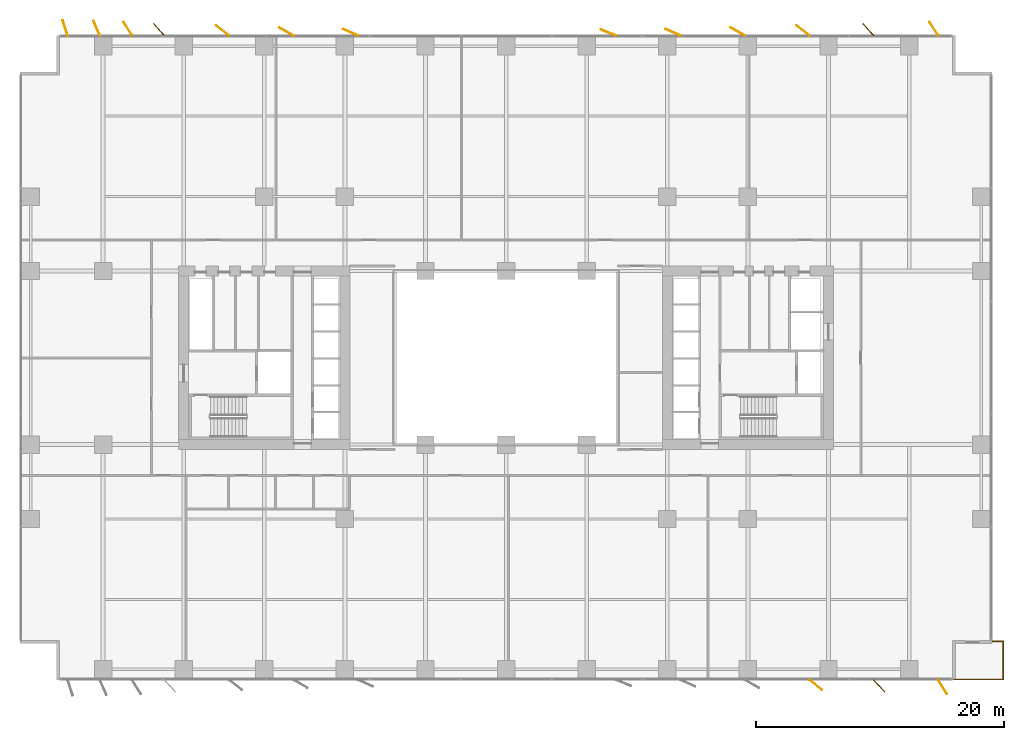
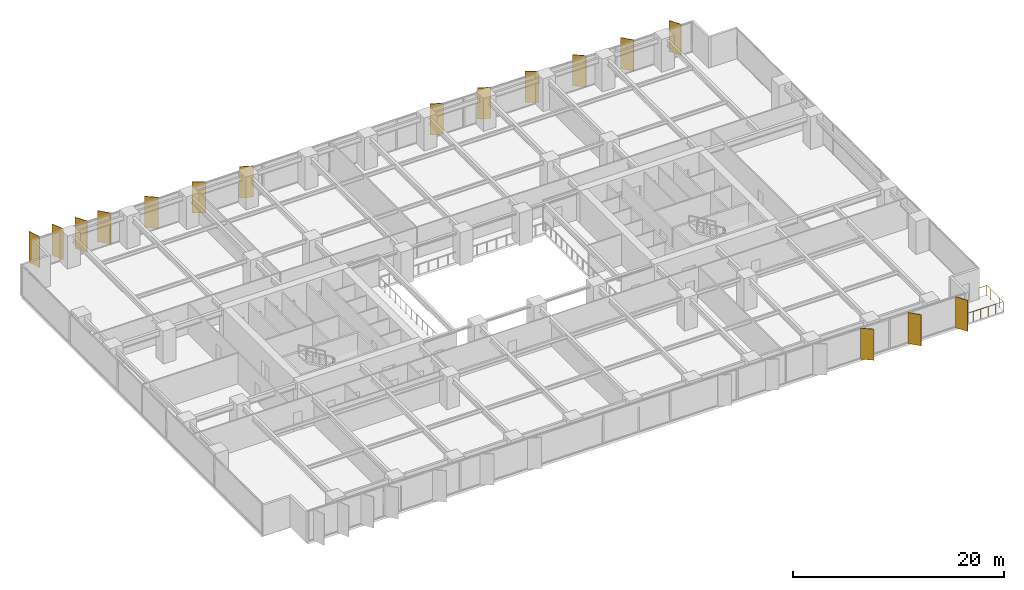
# One storey, part 20 of 20: 16 shading devices, 1 railing.
"""IFC4 building model written with IfcOpenShell, lengths in metres."""

from ifc_helpers import new_model, si_unit, direction, frame, origin, origin_2d, place, context, subcontext, project, spatial, rectangle, circle, extrude, material, layer, layer_set, type_object, element, save


model = new_model("IFC4")

# Units and contexts
model_context = context("Model", 3, precision=1e-05, world=origin(), true_north=direction((0.0, 1.0)))
body_context = subcontext(model_context, "Body", "Model", "MODEL_VIEW")
ifc_project = project(units=[si_unit("LENGTHUNIT", "METRE"), si_unit("AREAUNIT", "SQUARE_METRE"), si_unit("VOLUMEUNIT", "CUBIC_METRE"), si_unit("PLANEANGLEUNIT", "RADIAN"), si_unit("MASSUNIT", "GRAM", prefix="KILO")], contexts=[model_context])

# Site, building, storey
site_placement = place(None, origin())
site = spatial("IfcSite", under=ifc_project, at=site_placement, CompositionType="ELEMENT")
building_placement = place(site_placement, origin())
building = spatial("IfcBuilding", under=site, at=building_placement, Name="Putna Gate Headquarters", CompositionType="ELEMENT")
storey_placement = place(building_placement, frame((0.0, 0.0, 46.800048828125)))
storey = spatial("IfcBuildingStorey", under=building, at=storey_placement, Name="L10", CompositionType="ELEMENT", Elevation=46.800048828125)

# Railing
ifc_material_1 = material(Name="Anodised bronze steel and laminated glass guardrail", Category="steel")
railing_type = type_object("IfcRailingType", Name="RAIL-TERR-GUARD-1150", PredefinedType="GUARDRAIL", material=ifc_material_1)
railing_placement = place(storey_placement, frame((75.0, 0.06005859375, 0.0)))
element("IfcRailing", 1, at=railing_placement, inside=storey, type_object=railing_type, Name="L10 Spiral Sky Terrace Guardrail SE", PredefinedType="GUARDRAIL", context=body_context, shape_type="SweptSolid", body=[
    extrude(circle(Radius=0.02392578125, at=origin_2d()), frame((0.0, 0.0, 1.1259765625), z_axis=(1.0, 0.0, 0.0), x_axis=(0.0, 1.0, 0.0)), (0.0, 0.0, 1.0), 4.090087890625),
    extrude(circle(Radius=0.02392578125, at=origin_2d()), frame((4.090087890625, 0.0, 1.1259765625), z_axis=(0.0, 1.0, 0.0), x_axis=(-1.0, 0.0, 0.0)), (0.0, 0.0, 1.0), 3.079833984375),
    extrude(circle(Radius=0.02392578125, at=origin_2d()), frame((4.090087890625, 3.079833984375, 1.1259765625), z_axis=(-1.0, 0.0, 0.0), x_axis=(0.0, -1.0, 0.0)), (0.0, 0.0, 1.0), 0.89013671875),
    extrude(circle(Radius=0.02099609375, at=origin_2d()), origin(), (0.0, 0.0, 1.0), 1.101806640625),
    extrude(circle(Radius=0.02099609375, at=origin_2d()), frame((0.818115234375, 0.0, 0.0)), (0.0, 0.0, 1.0), 1.101806640625),
    extrude(circle(Radius=0.02099609375, at=origin_2d()), frame((1.635986328125, 0.0, 0.0)), (0.0, 0.0, 1.0), 1.101806640625),
    extrude(circle(Radius=0.02099609375, at=origin_2d()), frame((2.4541015625, 0.0, 0.0)), (0.0, 0.0, 1.0), 1.101806640625),
    extrude(circle(Radius=0.02099609375, at=origin_2d()), frame((3.27197265625, 0.0, 0.0)), (0.0, 0.0, 1.0), 1.101806640625),
    extrude(circle(Radius=0.02099609375, at=origin_2d()), frame((4.090087890625, 0.0, 0.0)), (0.0, 0.0, 1.0), 1.101806640625),
    extrude(circle(Radius=0.02099609375, at=origin_2d()), frame((4.090087890625, 0.77001953125, 0.0)), (0.0, 0.0, 1.0), 1.101806640625),
    extrude(circle(Radius=0.02099609375, at=origin_2d()), frame((4.090087890625, 1.5400390625, 0.0)), (0.0, 0.0, 1.0), 1.101806640625),
    extrude(circle(Radius=0.02099609375, at=origin_2d()), frame((4.090087890625, 2.309814453125, 0.0)), (0.0, 0.0, 1.0), 1.101806640625),
    extrude(circle(Radius=0.02099609375, at=origin_2d()), frame((4.090087890625, 3.079833984375, 0.0)), (0.0, 0.0, 1.0), 1.101806640625),
    extrude(circle(Radius=0.02099609375, at=origin_2d()), frame((3.199951171875, 3.079833984375, 0.0)), (0.0, 0.0, 1.0), 1.101806640625),
])

# Shading devices
ifc_material_2 = material(Name="Anodised architectural bronze aluminium fin", Category="aluminium")
ifc_layer = layer(ifc_material_2, 0.06494140625)
ifc_layer_set = layer_set([ifc_layer], Name="Anodised architectural bronze aluminium fin")
shading_device_type = type_object("IfcShadingDeviceType", Name="SHADE-BRONZE-FIN-1320", PredefinedType="USERDEFINED", material=ifc_layer_set)
for number, where, z_axis, x_axis, name in (
    (2, (3.4462890625, 52.602783203125, -0.02001953125), (0.0, 0.0, 1.0), (-0.308684994204, 0.951164325631, 0.0), "L10 Bronze Vertical Shading Fin N1"),
    (3, (5.985595703125, 52.57958984375, -0.02001953125), (0.0, 0.0, 1.0), (-0.400668879095, 0.916222925562, 0.0), "L10 Bronze Vertical Shading Fin N2"),
    (4, (8.499755859375, 52.534423828125, -0.02001953125), (0.0, 0.0, 1.0), (-0.530659123936, 0.847585331506, 0.0), "L10 Bronze Vertical Shading Fin N3"),
    (5, (11.00830078125, 52.465576171875, -0.02001953125), (0.0, 0.0, 1.0), (-0.669130606359, 0.743144825477, 0.0), "L10 Bronze Vertical Shading Fin N4"),
    (6, (16.13037109375, 52.3818359375, -0.02001953125), (0.0, 0.0, 1.0), (-0.787473187632, 0.616348909921, 0.0), "L10 Bronze Vertical Shading Fin N5"),
    (7, (21.276123046875, 52.30126953125, -0.02001953125), (0.0, 0.0, 1.0), (-0.869322458298, 0.494245347472, 0.0), "L10 Bronze Vertical Shading Fin N6"),
    (8, (26.447021484375, 52.2431640625, -0.02001953125), (0.0, 0.0, 1.0), (-0.913687379856, 0.40641773078, 0.0), "L10 Bronze Vertical Shading Fin N7"),
    (9, (47.238037109375, 52.22216796875, -0.02001953125), (0.0, 0.0, 1.0), (-0.927183854567, 0.374606593416, 0.0), "L10 Bronze Vertical Shading Fin N8"),
    (10, (52.447021484375, 52.2431640625, -0.02001953125), (0.0, 0.0, 1.0), (-0.913687379856, 0.40641773078, 0.0), "L10 Bronze Vertical Shading Fin N9"),
    (11, (57.67626953125, 52.30126953125, -0.02001953125), (0.0, 0.0, 1.0), (-0.869322458298, 0.494245347472, 0.0), "L10 Bronze Vertical Shading Fin N10"),
    (12, (63.9697265625, -0.3818359375, -0.02001953125), (0.0, 0.0, 1.0), (0.787473187632, -0.616348909921, 0.0), "L10 Bronze Vertical Shading Fin S11"),
    (13, (62.930419921875, 52.3818359375, -0.02001953125), (0.0, 0.0, 1.0), (-0.787473187632, 0.616348909921, 0.0), "L10 Bronze Vertical Shading Fin N11"),
    (14, (69.091552734375, -0.465576171875, -0.02001953125), (0.0, 0.0, 1.0), (0.669130606359, -0.743144825477, 0.0), "L10 Bronze Vertical Shading Fin S12"),
    (15, (68.20849609375, 52.465576171875, -0.02001953125), (0.0, 0.0, 1.0), (-0.669130606359, 0.743144825477, 0.0), "L10 Bronze Vertical Shading Fin N12"),
    (16, (74.2001953125, -0.534423828125, -0.02001953125), (0.0, 0.0, 1.0), (0.530659123936, -0.847585331506, 0.0), "L10 Bronze Vertical Shading Fin S13"),
    (17, (73.499755859375, 52.534423828125, -0.02001953125), (0.0, 0.0, 1.0), (-0.530659123936, 0.847585331506, 0.0), "L10 Bronze Vertical Shading Fin N13"),
):
    element("IfcShadingDevice", number, at=place(storey_placement, frame(where, z_axis=z_axis, x_axis=x_axis)), inside=storey, type_object=shading_device_type, Name=name, ObjectType="FIN", PredefinedType="USERDEFINED", context=body_context, shape_type="SweptSolid", body=[
        extrude(rectangle(XDim=1.320068359375, YDim=0.06494140625, at=origin_2d()), origin(), (0.0, 0.0, 1.0), 3.590087890625),
    ])

save(model, "model.ifc")
